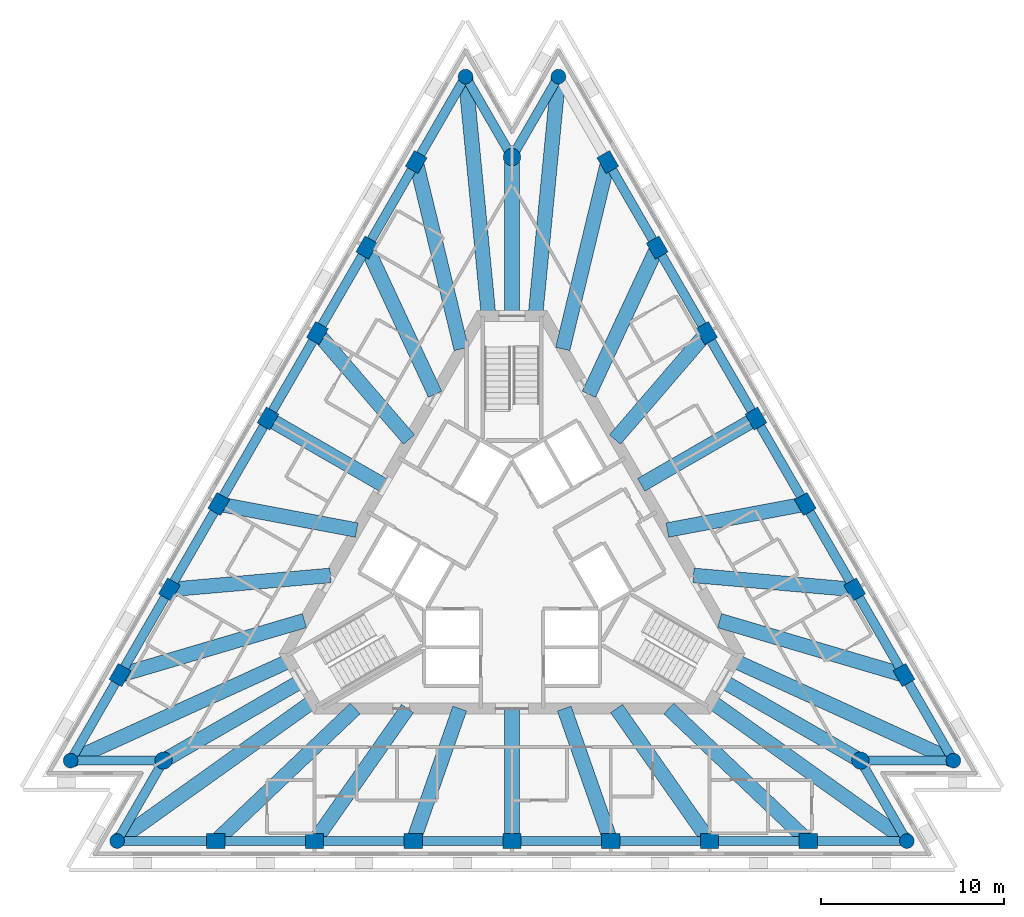
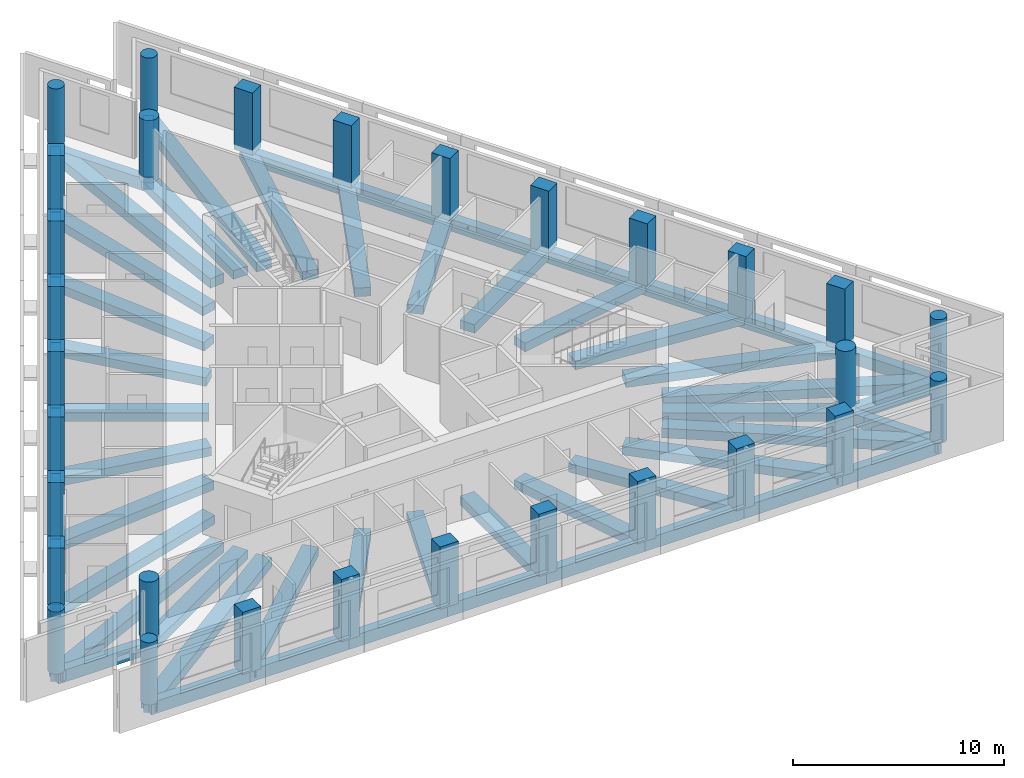
# One storey, part 1 of 10: 59 beams, 30 columns.
"""IFC4 building model written with IfcOpenShell, lengths in metres."""

from ifc_helpers import new_model, si_unit, direction, frame, origin, origin_2d, place, context, subcontext, project, spatial, rectangle, circle, extrude, material, material_profile, profile_set, type_object, element, save


model = new_model("IFC4")

# Units and contexts
model_context = context("Model", 3, precision=1e-05, world=origin(), true_north=direction((0.0, 1.0)))
body_context = subcontext(model_context, "Body", "Model", "MODEL_VIEW")
ifc_project = project(units=[si_unit("LENGTHUNIT", "METRE"), si_unit("AREAUNIT", "SQUARE_METRE"), si_unit("VOLUMEUNIT", "CUBIC_METRE"), si_unit("PLANEANGLEUNIT", "RADIAN"), si_unit("MASSUNIT", "GRAM", prefix="KILO")], contexts=[model_context])

# Site, building, storey
site_placement = place(None, origin())
site = spatial("IfcSite", under=ifc_project, at=site_placement, CompositionType="ELEMENT")
building_placement = place(site_placement, origin())
building = spatial("IfcBuilding", under=site, at=building_placement, Name="Triada Interchange Tower", CompositionType="ELEMENT")
storey_placement = place(building_placement, frame((0.0, 0.0, 293.5)))
storey = spatial("IfcBuildingStorey", under=building, at=storey_placement, Name="L69", CompositionType="ELEMENT", Elevation=293.5)

# Columns
ifc_material_1 = material(Name="Concrete C40/50", Category="concrete")
ifc_material_profile_1 = material_profile(ifc_material_1, rectangle(XDim=1.0, YDim=0.800048828125, at=origin_2d()), Name="RC 1000x800")
ifc_profile_set_1 = profile_set([ifc_material_profile_1], Name="Concrete C40/50")
column_type_1 = type_object("IfcColumnType", Name="Column D face RC 1000x800", PredefinedType="COLUMN", material=ifc_profile_set_1)
for number, where, z_axis, x_axis, name in (
    (1, (-5.236083984375, 21.7099609375, -0.300048828125), (0.0, 0.0, 1.0), (0.5, 0.866025403784, 0.0), "Column CD02 L69"),
    (2, (-7.93408203125, 17.0380859375, -0.300048828125), (0.0, 0.0, 1.0), (0.5, 0.866025403784, 0.0), "Column CD03 L69"),
    (3, (-10.631103515625, 12.366943359375, -0.300048828125), (0.0, 0.0, 1.0), (0.5, 0.866025403784, 0.0), "Column CD04 L69"),
    (4, (-13.327880859375, 7.695068359375, -0.300048828125), (0.0, 0.0, 1.0), (0.5, 0.866025403784, 0.0), "Column CD05 L69"),
    (5, (-16.02490234375, 3.02294921875, -0.300048828125), (0.0, 0.0, 1.0), (0.5, 0.866025403784, 0.0), "Column CD06 L69"),
    (6, (-18.721923828125, -1.64892578125, -0.300048828125), (0.0, 0.0, 1.0), (0.5, 0.866025403784, 0.0), "Column CD07 L69"),
    (7, (-21.419921875, -6.320068359375, -0.300048828125), (0.0, 0.0, 1.0), (0.5, 0.866025403784, 0.0), "Column CD08 L69"),
    (8, (-16.18310546875, -15.389892578125, -0.300048828125), (0.0, 0.0, 1.0), (1.0, 0.0, 0.0), "Column CD11 L69"),
    (9, (-10.7880859375, -15.389892578125, -0.300048828125), (0.0, 0.0, 1.0), (1.0, 0.0, 0.0), "Column CD12 L69"),
    (10, (-5.39404296875, -15.389892578125, -0.300048828125), (0.0, 0.0, 1.0), (1.0, 0.0, 0.0), "Column CD13 L69"),
    (11, (0.0, -15.389892578125, -0.300048828125), (0.0, 0.0, 1.0), (1.0, 0.0, 0.0), "Column CD14 L69"),
    (12, (5.39404296875, -15.389892578125, -0.300048828125), (0.0, 0.0, 1.0), (1.0, 0.0, 0.0), "Column CD15 L69"),
    (13, (10.7890625, -15.389892578125, -0.300048828125), (0.0, 0.0, 1.0), (1.0, 0.0, 0.0), "Column CD16 L69"),
    (14, (16.18310546875, -15.389892578125, -0.300048828125), (0.0, 0.0, 1.0), (1.0, 0.0, 0.0), "Column CD17 L69"),
    (15, (21.419921875, -6.320068359375, -0.300048828125), (0.0, 0.0, 1.0), (-0.5, 0.866025403784, 0.0), "Column CD20 L69"),
    (16, (18.721923828125, -1.64892578125, -0.300048828125), (0.0, 0.0, 1.0), (-0.5, 0.866025403784, 0.0), "Column CD21 L69"),
    (17, (16.02490234375, 3.02294921875, -0.300048828125), (0.0, 0.0, 1.0), (-0.5, 0.866025403784, 0.0), "Column CD22 L69"),
    (18, (13.327880859375, 7.695068359375, -0.300048828125), (0.0, 0.0, 1.0), (-0.5, 0.866025403784, 0.0), "Column CD23 L69"),
    (19, (10.631103515625, 12.366943359375, -0.300048828125), (0.0, 0.0, 1.0), (-0.5, 0.866025403784, 0.0), "Column CD24 L69"),
    (20, (7.93408203125, 17.0390625, -0.300048828125), (0.0, 0.0, 1.0), (-0.5, 0.866025403784, 0.0), "Column CD25 L69"),
    (21, (5.236083984375, 21.7099609375, -0.300048828125), (0.0, 0.0, 1.0), (-0.5, 0.866025403784, 0.0), "Column CD26 L69"),
):
    element("IfcColumn", number, at=place(storey_placement, frame(where, z_axis=z_axis, x_axis=x_axis)), inside=storey, type_object=column_type_1, Name=name, PredefinedType="COLUMN", context=body_context, shape_type="SweptSolid", body=[
        extrude(rectangle(XDim=1.0, YDim=0.800048828125, at=origin_2d()), origin(), (0.0, 0.0, 1.0), 3.60009765625),
    ])
ifc_material_profile_2 = material_profile(ifc_material_1, circle(Radius=0.39990234375, at=origin_2d()), Name="RC D800")
ifc_profile_set_2 = profile_set([ifc_material_profile_2], Name="Concrete C40/50")
column_type_2 = type_object("IfcColumnType", Name="End column D RC D800", PredefinedType="COLUMN", material=ifc_profile_set_2)
for number, where, z_axis, x_axis, name in (
    (22, (-2.5390625, 26.382080078125, -0.300048828125), (0.0, 0.0, 1.0), (0.5, 0.866025403784, 0.0), "Column CD01 L69"),
    (23, (-24.116943359375, -10.991943359375, -0.300048828125), (0.0, 0.0, 1.0), (0.5, 0.866025403784, 0.0), "Column CD09 L69"),
    (24, (-21.576904296875, -15.389892578125, -0.300048828125), (0.0, 0.0, 1.0), (1.0, 0.0, 0.0), "Column CD10 L69"),
    (25, (21.576904296875, -15.389892578125, -0.300048828125), (0.0, 0.0, 1.0), (1.0, 0.0, 0.0), "Column CD18 L69"),
    (26, (24.116943359375, -10.991943359375, -0.300048828125), (0.0, 0.0, 1.0), (-0.5, 0.866025403784, 0.0), "Column CD19 L69"),
    (27, (2.5390625, 26.382080078125, -0.300048828125), (0.0, 0.0, 1.0), (-0.5, 0.866025403784, 0.0), "Column CD27 L69"),
):
    element("IfcColumn", number, at=place(storey_placement, frame(where, z_axis=z_axis, x_axis=x_axis)), inside=storey, type_object=column_type_2, Name=name, PredefinedType="COLUMN", context=body_context, shape_type="SweptSolid", body=[
        extrude(circle(Radius=0.39990234375, at=origin_2d()), origin(), (0.0, 0.0, 1.0), 3.60009765625),
    ])
ifc_material_profile_3 = material_profile(ifc_material_1, circle(Radius=0.47509765625, at=origin_2d()), Name="RC D950")
ifc_profile_set_3 = profile_set([ifc_material_profile_3], Name="Concrete C40/50")
column_type_3 = type_object("IfcColumnType", Name="Mega column D RC D950", PredefinedType="COLUMN", material=ifc_profile_set_3)
for number, where, z_axis, x_axis, name in (
    (28, (0.0, 21.98291015625, -0.300048828125), (0.0, 0.0, 1.0), (1.0, 0.0, 0.0), "Column MD1 L69"),
    (29, (-19.0380859375, -10.991943359375, -0.300048828125), (0.0, 0.0, 1.0), (1.0, 0.0, 0.0), "Column MD2 L69"),
    (30, (19.0380859375, -10.991943359375, -0.300048828125), (0.0, 0.0, 1.0), (1.0, 0.0, 0.0), "Column MD3 L69"),
):
    element("IfcColumn", number, at=place(storey_placement, frame(where, z_axis=z_axis, x_axis=x_axis)), inside=storey, type_object=column_type_3, Name=name, PredefinedType="COLUMN", context=body_context, shape_type="SweptSolid", body=[
        extrude(circle(Radius=0.47509765625, at=origin_2d()), origin(), (0.0, 0.0, 1.0), 3.60009765625),
    ])

# Beams
ifc_material_2 = material(Name="Concrete C50/60", Category="concrete")
ifc_material_profile_4 = material_profile(ifc_material_2, rectangle(XDim=0.800048828125, YDim=0.5, at=origin_2d()), Name="RC 800x500")
ifc_profile_set_4 = profile_set([ifc_material_profile_4], Name="Concrete C50/60")
beam_type_1 = type_object("IfcBeamType", Name="Radial band beam D RC 800x500", PredefinedType="BEAM", material=ifc_profile_set_4)
beam_1_placement = place(storey_placement, frame((-5.236083984375, 21.7099609375, -0.550048828125), z_axis=(0.234456524391, -0.97212660604, 0.0), x_axis=(0.97212660604, 0.234456524391, 0.0)))
element("IfcBeam", 31, at=beam_1_placement, inside=storey, type_object=beam_type_1, Name="Radial band beam BD02 L69", PredefinedType="BEAM", context=body_context, shape_type="SweptSolid", body=[
    extrude(rectangle(XDim=0.800048828125, YDim=0.5, at=origin_2d()), origin(), (0.0, 0.0, 1.0), 10.505615234375),
])
beam_2_placement = place(storey_placement, frame((-7.93408203125, 17.0380859375, -0.550048828125), z_axis=(0.422121923077, -0.906539068137, 0.0), x_axis=(0.906539068137, 0.422121923077, 0.0)))
element("IfcBeam", 32, at=beam_2_placement, inside=storey, type_object=beam_type_1, Name="Radial band beam BD03 L69", PredefinedType="BEAM", context=body_context, shape_type="SweptSolid", body=[
    extrude(rectangle(XDim=0.800048828125, YDim=0.5, at=origin_2d()), origin(), (0.0, 0.0, 1.0), 8.841552734375),
])
beam_3_placement = place(storey_placement, frame((-10.631103515625, 12.366943359375, -0.550048828125), z_axis=(0.651878277137, -0.758323619437, 0.0), x_axis=(0.758323619437, 0.651878277137, 0.0)))
element("IfcBeam", 33, at=beam_3_placement, inside=storey, type_object=beam_type_1, Name="Radial band beam BD04 L69", PredefinedType="BEAM", context=body_context, shape_type="SweptSolid", body=[
    extrude(rectangle(XDim=0.800048828125, YDim=0.5, at=origin_2d()), origin(), (0.0, 0.0, 1.0), 7.672119140625),
])
beam_4_placement = place(storey_placement, frame((-13.327880859375, 7.695068359375, -0.550048828125), z_axis=(0.866009812298, -0.500027004274, 0.0), x_axis=(0.500027004274, 0.866009812298, 0.0)))
element("IfcBeam", 34, at=beam_4_placement, inside=storey, type_object=beam_type_1, Name="Radial band beam BD05 L69", PredefinedType="BEAM", context=body_context, shape_type="SweptSolid", body=[
    extrude(rectangle(XDim=0.800048828125, YDim=0.5, at=origin_2d()), origin(), (0.0, 0.0, 1.0), 7.23974609375),
])
beam_5_placement = place(storey_placement, frame((-16.02490234375, 3.02294921875, -0.550048828125), z_axis=(0.982674560134, -0.185339442282, 0.0), x_axis=(0.185339442282, 0.982674560134, 0.0)))
element("IfcBeam", 35, at=beam_5_placement, inside=storey, type_object=beam_type_1, Name="Radial band beam BD06 L69", PredefinedType="BEAM", context=body_context, shape_type="SweptSolid", body=[
    extrude(rectangle(XDim=0.800048828125, YDim=0.5, at=origin_2d()), origin(), (0.0, 0.0, 1.0), 7.671630859375),
])
beam_6_placement = place(storey_placement, frame((-18.721923828125, -1.64892578125, -0.550048828125), z_axis=(0.996141716399, 0.087759220878, 0.0), x_axis=(-0.087759220878, 0.996141716399, 0.0)))
element("IfcBeam", 36, at=beam_6_placement, inside=storey, type_object=beam_type_1, Name="Radial band beam BD07 L69", PredefinedType="BEAM", context=body_context, shape_type="SweptSolid", body=[
    extrude(rectangle(XDim=0.800048828125, YDim=0.5, at=origin_2d()), origin(), (0.0, 0.0, 1.0), 8.841064453125),
])
beam_7_placement = place(storey_placement, frame((-21.419921875, -6.320068359375, -0.550048828125), z_axis=(0.95912426732, 0.282985229011, 0.0), x_axis=(-0.282985229011, 0.95912426732, 0.0)))
element("IfcBeam", 37, at=beam_7_placement, inside=storey, type_object=beam_type_1, Name="Radial band beam BD08 L69", PredefinedType="BEAM", context=body_context, shape_type="SweptSolid", body=[
    extrude(rectangle(XDim=0.800048828125, YDim=0.5, at=origin_2d()), origin(), (0.0, 0.0, 1.0), 10.50634765625),
])
beam_8_placement = place(storey_placement, frame((-19.0380859375, -10.991943359375, -0.550048828125), z_axis=(0.866007665204, 0.500030722864, 0.0), x_axis=(-0.500030722864, 0.866007665204, 0.0)))
element("IfcBeam", 38, at=beam_8_placement, inside=storey, type_object=beam_type_1, Name="Radial band beam BD10 L69", PredefinedType="BEAM", context=body_context, shape_type="SweptSolid", body=[
    extrude(rectangle(XDim=0.800048828125, YDim=0.5, at=origin_2d()), origin(), (0.0, 0.0, 1.0), 8.68359375),
])
beam_9_placement = place(storey_placement, frame((-16.18310546875, -15.389892578125, -0.550048828125), z_axis=(0.724637873853, 0.689129851173, 0.0), x_axis=(-0.689129851173, 0.724637873853, 0.0)))
element("IfcBeam", 39, at=beam_9_placement, inside=storey, type_object=beam_type_1, Name="Radial band beam BD12 L69", PredefinedType="BEAM", context=body_context, shape_type="SweptSolid", body=[
    extrude(rectangle(XDim=0.800048828125, YDim=0.5, at=origin_2d()), origin(), (0.0, 0.0, 1.0), 10.506103515625),
])
beam_10_placement = place(storey_placement, frame((-10.7880859375, -15.389892578125, -0.550048828125), z_axis=(0.574008907358, 0.818849054633, 0.0), x_axis=(-0.818849054633, 0.574008907358, 0.0)))
element("IfcBeam", 40, at=beam_10_placement, inside=storey, type_object=beam_type_1, Name="Radial band beam BD13 L69", PredefinedType="BEAM", context=body_context, shape_type="SweptSolid", body=[
    extrude(rectangle(XDim=0.800048828125, YDim=0.5, at=origin_2d()), origin(), (0.0, 0.0, 1.0), 8.841552734375),
])
beam_11_placement = place(storey_placement, frame((-5.39404296875, -15.389892578125, -0.550048828125), z_axis=(0.330825237712, 0.94369203774, 0.0), x_axis=(-0.94369203774, 0.330825237712, 0.0)))
element("IfcBeam", 41, at=beam_11_placement, inside=storey, type_object=beam_type_1, Name="Radial band beam BD14 L69", PredefinedType="BEAM", context=body_context, shape_type="SweptSolid", body=[
    extrude(rectangle(XDim=0.800048828125, YDim=0.5, at=origin_2d()), origin(), (0.0, 0.0, 1.0), 7.671875),
])
beam_12_placement = place(storey_placement, frame((0.0, -15.389892578125, -0.550048828125), z_axis=(0.0, 1.0, 0.0), x_axis=(-1.0, 0.0, 0.0)))
element("IfcBeam", 42, at=beam_12_placement, inside=storey, type_object=beam_type_1, Name="Radial band beam BD15 L69", PredefinedType="BEAM", context=body_context, shape_type="SweptSolid", body=[
    extrude(rectangle(XDim=0.800048828125, YDim=0.5, at=origin_2d()), origin(), (0.0, 0.0, 1.0), 7.239990234375),
])
beam_13_placement = place(storey_placement, frame((5.39404296875, -15.389892578125, -0.550048828125), z_axis=(-0.330825237712, 0.94369203774, 0.0), x_axis=(-0.94369203774, -0.330825237712, 0.0)))
element("IfcBeam", 43, at=beam_13_placement, inside=storey, type_object=beam_type_1, Name="Radial band beam BD16 L69", PredefinedType="BEAM", context=body_context, shape_type="SweptSolid", body=[
    extrude(rectangle(XDim=0.800048828125, YDim=0.5, at=origin_2d()), origin(), (0.0, 0.0, 1.0), 7.671875),
])
beam_14_placement = place(storey_placement, frame((10.7890625, -15.389892578125, -0.550048828125), z_axis=(-0.574082958595, 0.818797140109, 0.0), x_axis=(-0.818797140109, -0.574082958595, 0.0)))
element("IfcBeam", 44, at=beam_14_placement, inside=storey, type_object=beam_type_1, Name="Radial band beam BD17 L69", PredefinedType="BEAM", context=body_context, shape_type="SweptSolid", body=[
    extrude(rectangle(XDim=0.800048828125, YDim=0.5, at=origin_2d()), origin(), (0.0, 0.0, 1.0), 8.84228515625),
])
beam_15_placement = place(storey_placement, frame((16.18310546875, -15.389892578125, -0.550048828125), z_axis=(-0.724637873853, 0.689129851173, 0.0), x_axis=(-0.689129851173, -0.724637873853, 0.0)))
element("IfcBeam", 45, at=beam_15_placement, inside=storey, type_object=beam_type_1, Name="Radial band beam BD18 L69", PredefinedType="BEAM", context=body_context, shape_type="SweptSolid", body=[
    extrude(rectangle(XDim=0.800048828125, YDim=0.5, at=origin_2d()), origin(), (0.0, 0.0, 1.0), 10.506103515625),
])
beam_16_placement = place(storey_placement, frame((19.0380859375, -10.991943359375, -0.550048828125), z_axis=(-0.866007665204, 0.500030722864, 0.0), x_axis=(-0.500030722864, -0.866007665204, 0.0)))
element("IfcBeam", 46, at=beam_16_placement, inside=storey, type_object=beam_type_1, Name="Radial band beam BD20 L69", PredefinedType="BEAM", context=body_context, shape_type="SweptSolid", body=[
    extrude(rectangle(XDim=0.800048828125, YDim=0.5, at=origin_2d()), origin(), (0.0, 0.0, 1.0), 8.68359375),
])
beam_17_placement = place(storey_placement, frame((21.419921875, -6.320068359375, -0.550048828125), z_axis=(-0.95912426732, 0.282985229011, 0.0), x_axis=(-0.282985229011, -0.95912426732, 0.0)))
element("IfcBeam", 47, at=beam_17_placement, inside=storey, type_object=beam_type_1, Name="Radial band beam BD22 L69", PredefinedType="BEAM", context=body_context, shape_type="SweptSolid", body=[
    extrude(rectangle(XDim=0.800048828125, YDim=0.5, at=origin_2d()), origin(), (0.0, 0.0, 1.0), 10.50634765625),
])
beam_18_placement = place(storey_placement, frame((18.721923828125, -1.64892578125, -0.550048828125), z_axis=(-0.996141716399, 0.087759220878, 0.0), x_axis=(-0.087759220878, -0.996141716399, 0.0)))
element("IfcBeam", 48, at=beam_18_placement, inside=storey, type_object=beam_type_1, Name="Radial band beam BD23 L69", PredefinedType="BEAM", context=body_context, shape_type="SweptSolid", body=[
    extrude(rectangle(XDim=0.800048828125, YDim=0.5, at=origin_2d()), origin(), (0.0, 0.0, 1.0), 8.841064453125),
])
beam_19_placement = place(storey_placement, frame((16.02490234375, 3.02294921875, -0.550048828125), z_axis=(-0.982674560134, -0.185339442282, 0.0), x_axis=(0.185339442282, -0.982674560134, 0.0)))
element("IfcBeam", 49, at=beam_19_placement, inside=storey, type_object=beam_type_1, Name="Radial band beam BD24 L69", PredefinedType="BEAM", context=body_context, shape_type="SweptSolid", body=[
    extrude(rectangle(XDim=0.800048828125, YDim=0.5, at=origin_2d()), origin(), (0.0, 0.0, 1.0), 7.671630859375),
])
beam_20_placement = place(storey_placement, frame((13.327880859375, 7.695068359375, -0.550048828125), z_axis=(-0.866009812298, -0.500027004274, 0.0), x_axis=(0.500027004274, -0.866009812298, 0.0)))
element("IfcBeam", 50, at=beam_20_placement, inside=storey, type_object=beam_type_1, Name="Radial band beam BD25 L69", PredefinedType="BEAM", context=body_context, shape_type="SweptSolid", body=[
    extrude(rectangle(XDim=0.800048828125, YDim=0.5, at=origin_2d()), origin(), (0.0, 0.0, 1.0), 7.23974609375),
])
beam_21_placement = place(storey_placement, frame((10.631103515625, 12.366943359375, -0.550048828125), z_axis=(-0.651878277137, -0.758323619437, 0.0), x_axis=(0.758323619437, -0.651878277137, 0.0)))
element("IfcBeam", 51, at=beam_21_placement, inside=storey, type_object=beam_type_1, Name="Radial band beam BD26 L69", PredefinedType="BEAM", context=body_context, shape_type="SweptSolid", body=[
    extrude(rectangle(XDim=0.800048828125, YDim=0.5, at=origin_2d()), origin(), (0.0, 0.0, 1.0), 7.672119140625),
])
beam_22_placement = place(storey_placement, frame((7.93408203125, 17.0390625, -0.550048828125), z_axis=(-0.422170419814, -0.90651648448, 0.0), x_axis=(0.90651648448, -0.422170419814, 0.0)))
element("IfcBeam", 52, at=beam_22_placement, inside=storey, type_object=beam_type_1, Name="Radial band beam BD27 L69", PredefinedType="BEAM", context=body_context, shape_type="SweptSolid", body=[
    extrude(rectangle(XDim=0.800048828125, YDim=0.5, at=origin_2d()), origin(), (0.0, 0.0, 1.0), 8.8427734375),
])
beam_23_placement = place(storey_placement, frame((5.236083984375, 21.7099609375, -0.550048828125), z_axis=(-0.234456524391, -0.97212660604, 0.0), x_axis=(0.97212660604, -0.234456524391, 0.0)))
element("IfcBeam", 53, at=beam_23_placement, inside=storey, type_object=beam_type_1, Name="Radial band beam BD28 L69", PredefinedType="BEAM", context=body_context, shape_type="SweptSolid", body=[
    extrude(rectangle(XDim=0.800048828125, YDim=0.5, at=origin_2d()), origin(), (0.0, 0.0, 1.0), 10.505615234375),
])
beam_24_placement = place(storey_placement, frame((0.0, 21.98291015625, -0.550048828125), z_axis=(0.0, -1.0, 0.0), x_axis=(1.0, 0.0, 0.0)))
element("IfcBeam", 54, at=beam_24_placement, inside=storey, type_object=beam_type_1, Name="Radial band beam BD30 L69", PredefinedType="BEAM", context=body_context, shape_type="SweptSolid", body=[
    extrude(rectangle(XDim=0.800048828125, YDim=0.5, at=origin_2d()), origin(), (0.0, 0.0, 1.0), 8.682861328125),
])
ifc_material_profile_5 = material_profile(ifc_material_2, rectangle(XDim=0.800048828125, YDim=0.550048828125, at=origin_2d()), Name="RC 800x550")
ifc_profile_set_5 = profile_set([ifc_material_profile_5], Name="Concrete C50/60")
beam_type_2 = type_object("IfcBeamType", Name="Radial band beam D RC 800x550", PredefinedType="BEAM", material=ifc_profile_set_5)
for number, where, z_axis, x_axis, name in (
    (55, (-2.5390625, 26.382080078125, -0.574951171875), (0.095798774203, -0.995400720746, 0.0), (0.995400720746, 0.095798774203, 0.0), "Radial band beam BD01 L69"),
    (56, (-24.116943359375, -10.991943359375, -0.574951171875), (0.909935297059, 0.414750232268, 0.0), (-0.414750232268, 0.909935297059, 0.0), "Radial band beam BD09 L69"),
):
    element("IfcBeam", number, at=place(storey_placement, frame(where, z_axis=z_axis, x_axis=x_axis)), inside=storey, type_object=beam_type_2, Name=name, PredefinedType="BEAM", context=body_context, shape_type="SweptSolid", body=[
        extrude(rectangle(XDim=0.800048828125, YDim=0.550048828125, at=origin_2d()), origin(), (0.0, 0.0, 1.0), 13.142578125),
    ])
for number, where, z_axis, x_axis, name in (
    (57, (-21.576904296875, -15.389892578125, -0.574951171875), (0.81413872305, 0.580670422555, 0.0), (-0.580670422555, 0.81413872305, 0.0), "Radial band beam BD11 L69"),
    (58, (21.576904296875, -15.389892578125, -0.574951171875), (-0.81413872305, 0.580670422555, 0.0), (-0.580670422555, -0.81413872305, 0.0), "Radial band beam BD19 L69"),
):
    element("IfcBeam", number, at=place(storey_placement, frame(where, z_axis=z_axis, x_axis=x_axis)), inside=storey, type_object=beam_type_2, Name=name, PredefinedType="BEAM", context=body_context, shape_type="SweptSolid", body=[
        extrude(rectangle(XDim=0.800048828125, YDim=0.550048828125, at=origin_2d()), origin(), (0.0, 0.0, 1.0), 13.141357421875),
    ])
for number, where, z_axis, x_axis, name in (
    (59, (24.116943359375, -10.991943359375, -0.574951171875), (-0.909935297059, 0.414750232268, 0.0), (-0.414750232268, -0.909935297059, 0.0), "Radial band beam BD21 L69"),
    (60, (2.5390625, 26.382080078125, -0.574951171875), (-0.095798774203, -0.995400720746, 0.0), (0.995400720746, -0.095798774203, 0.0), "Radial band beam BD29 L69"),
):
    element("IfcBeam", number, at=place(storey_placement, frame(where, z_axis=z_axis, x_axis=x_axis)), inside=storey, type_object=beam_type_2, Name=name, PredefinedType="BEAM", context=body_context, shape_type="SweptSolid", body=[
        extrude(rectangle(XDim=0.800048828125, YDim=0.550048828125, at=origin_2d()), origin(), (0.0, 0.0, 1.0), 13.142578125),
    ])
ifc_material_profile_6 = material_profile(ifc_material_2, rectangle(XDim=0.5, YDim=0.699951171875, at=origin_2d()), Name="RC 500x700")
ifc_profile_set_6 = profile_set([ifc_material_profile_6], Name="Concrete C50/60")
beam_type_3 = type_object("IfcBeamType", Name="Spandrel beam D RC 500x700", PredefinedType="BEAM", material=ifc_profile_set_6)
beam_25_placement = place(storey_placement, frame((-2.5390625, 26.382080078125, -0.64990234375), z_axis=(-0.49994052929, -0.866059736492, 0.0), x_axis=(0.866059736492, -0.49994052929, 0.0)))
element("IfcBeam", 61, at=beam_25_placement, inside=storey, type_object=beam_type_3, Name="Spandrel beam ED01 L69", PredefinedType="BEAM", context=body_context, shape_type="SweptSolid", body=[
    extrude(rectangle(XDim=0.5, YDim=0.699951171875, at=origin_2d()), origin(), (0.0, 0.0, 1.0), 5.394775390625),
])
beam_26_placement = place(storey_placement, frame((-5.236083984375, 21.7099609375, -0.64990234375), z_axis=(-0.500095886128, -0.865970036824, 0.0), x_axis=(0.865970036824, -0.500095886128, 0.0)))
element("IfcBeam", 62, at=beam_26_placement, inside=storey, type_object=beam_type_3, Name="Spandrel beam ED02 L69", PredefinedType="BEAM", context=body_context, shape_type="SweptSolid", body=[
    extrude(rectangle(XDim=0.5, YDim=0.699951171875, at=origin_2d()), origin(), (0.0, 0.0, 1.0), 5.39501953125),
])
beam_27_placement = place(storey_placement, frame((-7.93408203125, 17.0380859375, -0.64990234375), z_axis=(-0.500018918615, -0.866014480842, 0.0), x_axis=(0.866014480842, -0.500018918615, 0.0)))
element("IfcBeam", 63, at=beam_27_placement, inside=storey, type_object=beam_type_3, Name="Spandrel beam ED03 L69", PredefinedType="BEAM", context=body_context, shape_type="SweptSolid", body=[
    extrude(rectangle(XDim=0.5, YDim=0.699951171875, at=origin_2d()), origin(), (0.0, 0.0, 1.0), 5.393798828125),
])
beam_28_placement = place(storey_placement, frame((-10.631103515625, 12.366943359375, -0.64990234375), z_axis=(-0.499926178584, -0.866068020404, 0.0), x_axis=(0.866068020404, -0.499926178584, 0.0)))
element("IfcBeam", 64, at=beam_28_placement, inside=storey, type_object=beam_type_3, Name="Spandrel beam ED04 L69", PredefinedType="BEAM", context=body_context, shape_type="SweptSolid", body=[
    extrude(rectangle(XDim=0.5, YDim=0.699951171875, at=origin_2d()), origin(), (0.0, 0.0, 1.0), 5.394287109375),
])
beam_29_placement = place(storey_placement, frame((-13.327880859375, 7.695068359375, -0.64990234375), z_axis=(-0.49994052929, -0.866059736492, 0.0), x_axis=(0.866059736492, -0.49994052929, 0.0)))
element("IfcBeam", 65, at=beam_29_placement, inside=storey, type_object=beam_type_3, Name="Spandrel beam ED05 L69", PredefinedType="BEAM", context=body_context, shape_type="SweptSolid", body=[
    extrude(rectangle(XDim=0.5, YDim=0.699951171875, at=origin_2d()), origin(), (0.0, 0.0, 1.0), 5.394775390625),
])
beam_30_placement = place(storey_placement, frame((-16.02490234375, 3.02294921875, -0.64990234375), z_axis=(-0.499960124701, -0.866048424575, 0.0), x_axis=(0.866048424575, -0.499960124701, 0.0)))
element("IfcBeam", 66, at=beam_30_placement, inside=storey, type_object=beam_type_3, Name="Spandrel beam ED06 L69", PredefinedType="BEAM", context=body_context, shape_type="SweptSolid", body=[
    extrude(rectangle(XDim=0.5, YDim=0.699951171875, at=origin_2d()), origin(), (0.0, 0.0, 1.0), 5.39453125),
])
beam_31_placement = place(storey_placement, frame((-18.721923828125, -1.64892578125, -0.64990234375), z_axis=(-0.50015468536, -0.865936077729, 0.0), x_axis=(0.865936077729, -0.50015468536, 0.0)))
element("IfcBeam", 67, at=beam_31_placement, inside=storey, type_object=beam_type_3, Name="Spandrel beam ED07 L69", PredefinedType="BEAM", context=body_context, shape_type="SweptSolid", body=[
    extrude(rectangle(XDim=0.5, YDim=0.699951171875, at=origin_2d()), origin(), (0.0, 0.0, 1.0), 5.394287109375),
])
beam_32_placement = place(storey_placement, frame((-21.419921875, -6.320068359375, -0.64990234375), z_axis=(-0.499960124701, -0.866048424575, 0.0), x_axis=(0.866048424575, -0.499960124701, 0.0)))
element("IfcBeam", 68, at=beam_32_placement, inside=storey, type_object=beam_type_3, Name="Spandrel beam ED08 L69", PredefinedType="BEAM", context=body_context, shape_type="SweptSolid", body=[
    extrude(rectangle(XDim=0.5, YDim=0.699951171875, at=origin_2d()), origin(), (0.0, 0.0, 1.0), 5.39453125),
])
beam_33_placement = place(storey_placement, frame((-24.116943359375, -10.991943359375, -0.64990234375), z_axis=(1.0, 0.0, 0.0), x_axis=(0.0, 1.0, 0.0)))
element("IfcBeam", 69, at=beam_33_placement, inside=storey, type_object=beam_type_3, Name="Spandrel beam ED09 L69", PredefinedType="BEAM", context=body_context, shape_type="SweptSolid", body=[
    extrude(rectangle(XDim=0.5, YDim=0.699951171875, at=origin_2d()), origin(), (0.0, 0.0, 1.0), 5.078857421875),
])
beam_34_placement = place(storey_placement, frame((-19.0380859375, -10.991943359375, -0.64990234375), z_axis=(-0.499949960329, -0.866054292275, 0.0), x_axis=(0.866054292275, -0.499949960329, 0.0)))
element("IfcBeam", 70, at=beam_34_placement, inside=storey, type_object=beam_type_3, Name="Spandrel beam ED10 L69", PredefinedType="BEAM", context=body_context, shape_type="SweptSolid", body=[
    extrude(rectangle(XDim=0.5, YDim=0.699951171875, at=origin_2d()), origin(), (0.0, 0.0, 1.0), 5.078125),
])
beam_35_placement = place(storey_placement, frame((-21.576904296875, -15.389892578125, -0.64990234375), z_axis=(1.0, 0.0, 0.0), x_axis=(0.0, 1.0, 0.0)))
element("IfcBeam", 71, at=beam_35_placement, inside=storey, type_object=beam_type_3, Name="Spandrel beam ED11 L69", PredefinedType="BEAM", context=body_context, shape_type="SweptSolid", body=[
    extrude(rectangle(XDim=0.5, YDim=0.699951171875, at=origin_2d()), origin(), (0.0, 0.0, 1.0), 5.393798828125),
])
beam_36_placement = place(storey_placement, frame((-16.18310546875, -15.389892578125, -0.64990234375), z_axis=(1.0, 0.0, 0.0), x_axis=(0.0, 1.0, 0.0)))
element("IfcBeam", 72, at=beam_36_placement, inside=storey, type_object=beam_type_3, Name="Spandrel beam ED12 L69", PredefinedType="BEAM", context=body_context, shape_type="SweptSolid", body=[
    extrude(rectangle(XDim=0.5, YDim=0.699951171875, at=origin_2d()), origin(), (0.0, 0.0, 1.0), 5.39501953125),
])
for number, where, z_axis, x_axis, name in (
    (73, (-10.7880859375, -15.389892578125, -0.64990234375), (1.0, 0.0, 0.0), (0.0, 1.0, 0.0), "Spandrel beam ED13 L69"),
    (74, (-5.39404296875, -15.389892578125, -0.64990234375), (1.0, 0.0, 0.0), (0.0, 1.0, 0.0), "Spandrel beam ED14 L69"),
    (75, (0.0, -15.389892578125, -0.64990234375), (1.0, 0.0, 0.0), (0.0, 1.0, 0.0), "Spandrel beam ED15 L69"),
):
    element("IfcBeam", number, at=place(storey_placement, frame(where, z_axis=z_axis, x_axis=x_axis)), inside=storey, type_object=beam_type_3, Name=name, PredefinedType="BEAM", context=body_context, shape_type="SweptSolid", body=[
        extrude(rectangle(XDim=0.5, YDim=0.699951171875, at=origin_2d()), origin(), (0.0, 0.0, 1.0), 5.39404296875),
    ])
beam_37_placement = place(storey_placement, frame((5.39404296875, -15.389892578125, -0.64990234375), z_axis=(1.0, 0.0, 0.0), x_axis=(0.0, 1.0, 0.0)))
element("IfcBeam", 76, at=beam_37_placement, inside=storey, type_object=beam_type_3, Name="Spandrel beam ED16 L69", PredefinedType="BEAM", context=body_context, shape_type="SweptSolid", body=[
    extrude(rectangle(XDim=0.5, YDim=0.699951171875, at=origin_2d()), origin(), (0.0, 0.0, 1.0), 5.39501953125),
])
beam_38_placement = place(storey_placement, frame((10.7890625, -15.389892578125, -0.64990234375), z_axis=(1.0, 0.0, 0.0), x_axis=(0.0, 1.0, 0.0)))
element("IfcBeam", 77, at=beam_38_placement, inside=storey, type_object=beam_type_3, Name="Spandrel beam ED17 L69", PredefinedType="BEAM", context=body_context, shape_type="SweptSolid", body=[
    extrude(rectangle(XDim=0.5, YDim=0.699951171875, at=origin_2d()), origin(), (0.0, 0.0, 1.0), 5.39404296875),
])
beam_39_placement = place(storey_placement, frame((16.18310546875, -15.389892578125, -0.64990234375), z_axis=(1.0, 0.0, 0.0), x_axis=(0.0, 1.0, 0.0)))
element("IfcBeam", 78, at=beam_39_placement, inside=storey, type_object=beam_type_3, Name="Spandrel beam ED18 L69", PredefinedType="BEAM", context=body_context, shape_type="SweptSolid", body=[
    extrude(rectangle(XDim=0.5, YDim=0.699951171875, at=origin_2d()), origin(), (0.0, 0.0, 1.0), 5.393798828125),
])
beam_40_placement = place(storey_placement, frame((21.576904296875, -15.389892578125, -0.64990234375), z_axis=(-0.499949960329, 0.866054292275, 0.0), x_axis=(-0.866054292275, -0.499949960329, 0.0)))
element("IfcBeam", 79, at=beam_40_placement, inside=storey, type_object=beam_type_3, Name="Spandrel beam ED19 L69", PredefinedType="BEAM", context=body_context, shape_type="SweptSolid", body=[
    extrude(rectangle(XDim=0.5, YDim=0.699951171875, at=origin_2d()), origin(), (0.0, 0.0, 1.0), 5.078125),
])
beam_41_placement = place(storey_placement, frame((19.0380859375, -10.991943359375, -0.64990234375), z_axis=(1.0, 0.0, 0.0), x_axis=(0.0, 1.0, 0.0)))
element("IfcBeam", 80, at=beam_41_placement, inside=storey, type_object=beam_type_3, Name="Spandrel beam ED20 L69", PredefinedType="BEAM", context=body_context, shape_type="SweptSolid", body=[
    extrude(rectangle(XDim=0.5, YDim=0.699951171875, at=origin_2d()), origin(), (0.0, 0.0, 1.0), 5.078857421875),
])
beam_42_placement = place(storey_placement, frame((24.116943359375, -10.991943359375, -0.64990234375), z_axis=(-0.499960124701, 0.866048424575, 0.0), x_axis=(-0.866048424575, -0.499960124701, 0.0)))
element("IfcBeam", 81, at=beam_42_placement, inside=storey, type_object=beam_type_3, Name="Spandrel beam ED21 L69", PredefinedType="BEAM", context=body_context, shape_type="SweptSolid", body=[
    extrude(rectangle(XDim=0.5, YDim=0.699951171875, at=origin_2d()), origin(), (0.0, 0.0, 1.0), 5.39453125),
])
beam_43_placement = place(storey_placement, frame((21.419921875, -6.320068359375, -0.64990234375), z_axis=(-0.50015468536, 0.865936077729, 0.0), x_axis=(-0.865936077729, -0.50015468536, 0.0)))
element("IfcBeam", 82, at=beam_43_placement, inside=storey, type_object=beam_type_3, Name="Spandrel beam ED22 L69", PredefinedType="BEAM", context=body_context, shape_type="SweptSolid", body=[
    extrude(rectangle(XDim=0.5, YDim=0.699951171875, at=origin_2d()), origin(), (0.0, 0.0, 1.0), 5.394287109375),
])
beam_44_placement = place(storey_placement, frame((18.721923828125, -1.64892578125, -0.64990234375), z_axis=(-0.499960124701, 0.866048424575, 0.0), x_axis=(-0.866048424575, -0.499960124701, 0.0)))
element("IfcBeam", 83, at=beam_44_placement, inside=storey, type_object=beam_type_3, Name="Spandrel beam ED23 L69", PredefinedType="BEAM", context=body_context, shape_type="SweptSolid", body=[
    extrude(rectangle(XDim=0.5, YDim=0.699951171875, at=origin_2d()), origin(), (0.0, 0.0, 1.0), 5.39453125),
])
beam_45_placement = place(storey_placement, frame((16.02490234375, 3.02294921875, -0.64990234375), z_axis=(-0.49994052929, 0.866059736492, 0.0), x_axis=(-0.866059736492, -0.49994052929, 0.0)))
element("IfcBeam", 84, at=beam_45_placement, inside=storey, type_object=beam_type_3, Name="Spandrel beam ED24 L69", PredefinedType="BEAM", context=body_context, shape_type="SweptSolid", body=[
    extrude(rectangle(XDim=0.5, YDim=0.699951171875, at=origin_2d()), origin(), (0.0, 0.0, 1.0), 5.394775390625),
])
beam_46_placement = place(storey_placement, frame((13.327880859375, 7.695068359375, -0.64990234375), z_axis=(-0.499926178584, 0.866068020404, 0.0), x_axis=(-0.866068020404, -0.499926178584, 0.0)))
element("IfcBeam", 85, at=beam_46_placement, inside=storey, type_object=beam_type_3, Name="Spandrel beam ED25 L69", PredefinedType="BEAM", context=body_context, shape_type="SweptSolid", body=[
    extrude(rectangle(XDim=0.5, YDim=0.699951171875, at=origin_2d()), origin(), (0.0, 0.0, 1.0), 5.394287109375),
])
beam_47_placement = place(storey_placement, frame((10.631103515625, 12.366943359375, -0.64990234375), z_axis=(-0.49994052929, 0.866059736492, 0.0), x_axis=(-0.866059736492, -0.49994052929, 0.0)))
element("IfcBeam", 86, at=beam_47_placement, inside=storey, type_object=beam_type_3, Name="Spandrel beam ED26 L69", PredefinedType="BEAM", context=body_context, shape_type="SweptSolid", body=[
    extrude(rectangle(XDim=0.5, YDim=0.699951171875, at=origin_2d()), origin(), (0.0, 0.0, 1.0), 5.394775390625),
])
beam_48_placement = place(storey_placement, frame((7.93408203125, 17.0390625, -0.64990234375), z_axis=(-0.500174287664, 0.865924755369, 0.0), x_axis=(-0.865924755369, -0.500174287664, 0.0)))
element("IfcBeam", 87, at=beam_48_placement, inside=storey, type_object=beam_type_3, Name="Spandrel beam ED27 L69", PredefinedType="BEAM", context=body_context, shape_type="SweptSolid", body=[
    extrude(rectangle(XDim=0.5, YDim=0.699951171875, at=origin_2d()), origin(), (0.0, 0.0, 1.0), 5.39404296875),
])
for number, where, z_axis, x_axis, name in (
    (88, (2.5390625, 26.382080078125, -0.64990234375), (-0.499881952299, -0.86609354793, 0.0), (0.86609354793, -0.499881952299, 0.0), "Spandrel beam ED29 L69"),
    (89, (0.0, 21.98291015625, -0.64990234375), (-0.499881952299, 0.86609354793, 0.0), (-0.86609354793, -0.499881952299, 0.0), "Spandrel beam ED30 L69"),
):
    element("IfcBeam", number, at=place(storey_placement, frame(where, z_axis=z_axis, x_axis=x_axis)), inside=storey, type_object=beam_type_3, Name=name, PredefinedType="BEAM", context=body_context, shape_type="SweptSolid", body=[
        extrude(rectangle(XDim=0.5, YDim=0.699951171875, at=origin_2d()), origin(), (0.0, 0.0, 1.0), 5.079345703125),
    ])

save(model, "model.ifc")
